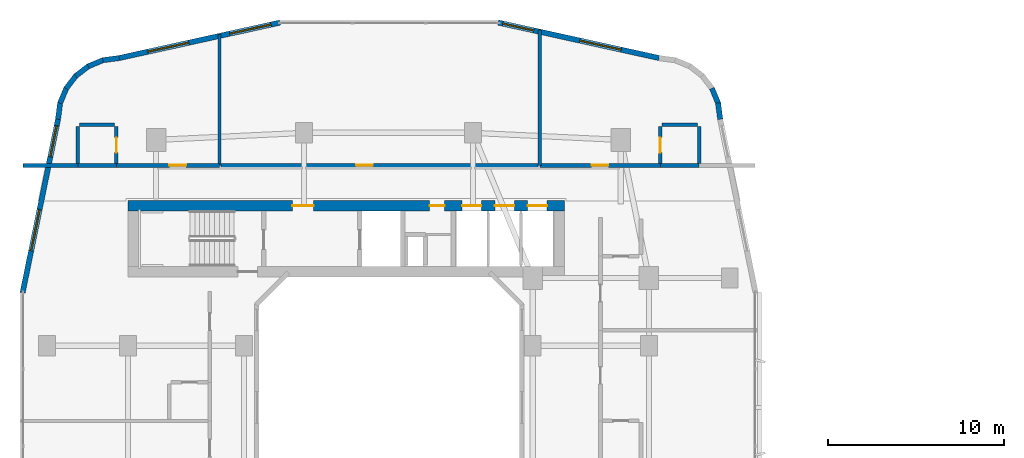
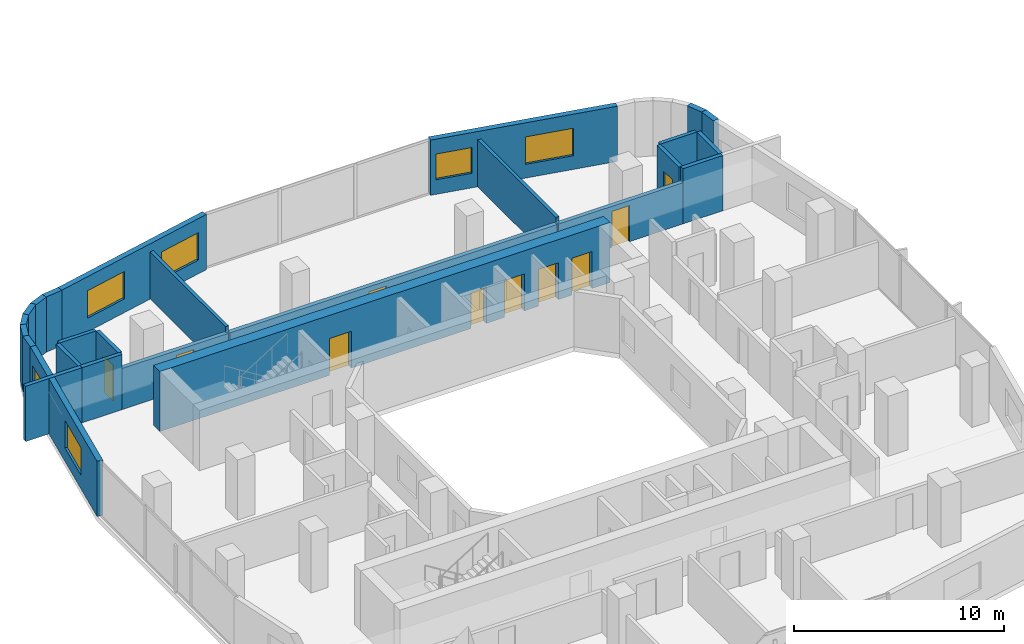
# One storey, part 16 of 26: 26 walls, 10 doors, 6 windows, 16 openings.
"""IFC4 building model written with IfcOpenShell, lengths in metres."""

from ifc_helpers import new_model, si_unit, derived_unit, direction, frame, frame_2d, origin, place, context, subcontext, project, spatial, rectangle, extrude, material, layer, layer_set, type_object, element, fill, save


model = new_model("IFC4")

# Units and contexts
model_context = context("Model", 3, precision=1e-05, world=origin(), true_north=direction((0.0, 1.0)))
body_context = subcontext(model_context, "Body", "Model", "MODEL_VIEW")
ifc_project = project(units=[si_unit("LENGTHUNIT", "METRE"), si_unit("AREAUNIT", "SQUARE_METRE"), si_unit("VOLUMEUNIT", "CUBIC_METRE"), si_unit("PLANEANGLEUNIT", "RADIAN"), si_unit("MASSUNIT", "GRAM", prefix="KILO"), derived_unit("THERMALTRANSMITTANCEUNIT", [(si_unit("POWERUNIT", "WATT"), 1), (si_unit("LENGTHUNIT", "METRE"), -2), (si_unit("THERMODYNAMICTEMPERATUREUNIT", "KELVIN"), -1)])], contexts=[model_context])

# Site, building, storey
site_placement = place(None, origin())
site = spatial("IfcSite", under=ifc_project, at=site_placement, CompositionType="ELEMENT")
building_placement = place(site_placement, origin())
building = spatial("IfcBuilding", under=site, at=building_placement, Name="Kivonza Crest Hotel", CompositionType="ELEMENT")
storey_placement = place(building_placement, frame((0.0, 0.0, 52.0)))
storey = spatial("IfcBuildingStorey", under=building, at=storey_placement, Name="L13", CompositionType="ELEMENT", Elevation=52.0)

# Walls
ifc_material_1 = material(Name="High-density acoustic masonry inter-tenancy wall", Category="masonry")
ifc_layer_1 = layer(ifc_material_1, 0.179931640625)
ifc_layer_set_1 = layer_set([ifc_layer_1], Name="High-density acoustic masonry inter-tenancy wall")
wall_type_1 = type_object("IfcWallType", Name="WL-ACOU-180", PredefinedType="SOLIDWALL", material=ifc_layer_set_1)
wall_1_placement = place(storey_placement, frame((11.39990234375, 38.75, 0.0), z_axis=(0.0, 0.0, 1.0), x_axis=(0.0, 1.0, 0.0)))
element("IfcWall", 1, at=wall_1_placement, inside=storey, type_object=wall_type_1, Name="L13 interior partition WA-L13-T1N-DIV1", PredefinedType="SOLIDWALL", context=body_context, shape_type="SweptSolid", body=[
    extrude(rectangle(XDim=7.449951171875, YDim=0.179931640625, at=frame_2d((3.72509765625, 0.0))), origin(), (0.0, 0.0, 1.0), 2.7451171875),
])
wall_2_placement = place(storey_placement, frame((29.60009765625, 38.75, 0.0), z_axis=(0.0, 0.0, 1.0), x_axis=(0.0, 1.0, 0.0)))
element("IfcWall", 2, at=wall_2_placement, inside=storey, type_object=wall_type_1, Name="L13 interior partition WA-L13-T1N-DIV2", PredefinedType="SOLIDWALL", context=body_context, shape_type="SweptSolid", body=[
    extrude(rectangle(XDim=7.68798828125, YDim=0.179931640625, at=frame_2d((3.843994140625, 0.0))), origin(), (0.0, 0.0, 1.0), 2.7451171875),
])
ifc_material_2 = material(Name="Autoclaved aerated concrete blockwork", Category="masonry")
ifc_layer_2 = layer(ifc_material_2, 0.219970703125)
ifc_layer_set_2 = layer_set([ifc_layer_2], Name="Autoclaved aerated concrete blockwork")
wall_type_2 = type_object("IfcWallType", Name="WL-ACOU-220", PredefinedType="SOLIDWALL", material=ifc_layer_set_2)
wall_3_placement = place(storey_placement, frame((0.239990234375, 38.75, 0.0), z_axis=(0.0, 0.0, 1.0), x_axis=(1.0, 0.0, 0.0)))
element("IfcWall", 3, at=wall_3_placement, inside=storey, type_object=wall_type_2, Name="L13 interior partition WA-L13-N01-XCORR", PredefinedType="SOLIDWALL", context=body_context, shape_type="SweptSolid", body=[
    extrude(rectangle(XDim=3.110107421875, YDim=0.219970703125, at=frame_2d((1.55517578125, 0.0))), origin(), (0.0, 0.0, 1.0), 3.219970703125),
])
wall_4_placement = place(storey_placement, frame((3.35009765625, 38.75, 0.0), z_axis=(0.0, 0.0, 1.0), x_axis=(1.0, 0.0, 0.0)))
element("IfcWall", 4, at=wall_4_placement, inside=storey, type_object=wall_type_2, Name="L13 interior partition WA-L13-N01-BCORR", PredefinedType="SOLIDWALL", context=body_context, shape_type="SweptSolid", body=[
    extrude(rectangle(XDim=2.199951171875, YDim=0.219970703125, at=frame_2d((1.10009765625, 0.0))), origin(), (0.0, 0.0, 1.0), 3.219970703125),
])

# Wall, opening, door
wall_5_placement = place(storey_placement, frame((5.550048828125, 38.75, 0.0), z_axis=(0.0, 0.0, 1.0), x_axis=(1.0, 0.0, 0.0)))
wall_5 = element("IfcWall", 5, at=wall_5_placement, inside=storey, type_object=wall_type_2, Name="L13 interior partition WA-L13-N01-MCORR", PredefinedType="SOLIDWALL", context=body_context, shape_type="SweptSolid", body=[
    extrude(rectangle(XDim=5.849853515625, YDim=0.219970703125, at=frame_2d((2.9248046875, 0.0))), origin(), (0.0, 0.0, 1.0), 2.39501953125),
])
opening_1_placement = place(wall_5_placement, frame((3.010009765625, 0.0, 0.0)))
opening_1 = element("IfcOpeningElement", 6, at=opening_1_placement, cuts=wall_5, Name="Opening DU-60", PredefinedType="OPENING", context=body_context, shape_type="SweptSolid", body=[
    extrude(rectangle(XDim=0.949951171875, YDim=2.10009765625, at=frame_2d((0.47509765625, 1.050048828125))), frame((0.0, 0.1201171875, 0.0), z_axis=(0.0, -1.0, 0.0), x_axis=(1.0, 0.0, 0.0)), (0.0, 0.0, 1.0), 0.239990234375),
])
ifc_material_3 = material(Name="Hardwood timber oak", Category="wood")
door_type_1 = type_object("IfcDoorType", Name="DR-UNIT-950", OperationType="NOTDEFINED", PredefinedType="DOOR", material=ifc_material_3)
door_1_placement = place(opening_1_placement, origin())
door_1 = element("IfcDoor", 7, at=door_1_placement, inside=storey, type_object=door_type_1, Name="L13 N01 guest unit entrance fire door", OperationType="SINGLE_SWING_LEFT", OverallHeight=2.10009765625, OverallWidth=0.949951171875, PredefinedType="DOOR", context=body_context, shape_type="SweptSolid", body=[
    extrude(rectangle(XDim=0.949951171875, YDim=2.10009765625, at=frame_2d((0.47509765625, 1.050048828125))), frame((0.0, 0.02490234375, 0.0), z_axis=(0.0, -1.0, 0.0), x_axis=(1.0, 0.0, 0.0)), (0.0, 0.0, 1.0), 0.050048828125),
])
fill(opening_1, door_1)

wall_6_placement = place(storey_placement, frame((11.5, 38.75, 0.0), z_axis=(0.0, 0.0, 1.0), x_axis=(1.0, 0.0, 0.0)))
wall_6 = element("IfcWall", 8, at=wall_6_placement, inside=storey, type_object=wall_type_2, Name="L13 interior partition WA-L13-HK-MAIN-S", PredefinedType="SOLIDWALL", context=body_context, shape_type="SweptSolid", body=[
    extrude(rectangle(XDim=18.0, YDim=0.219970703125, at=frame_2d((9.0, 0.0))), origin(), (0.0, 0.0, 1.0), 2.39501953125),
])
opening_2_placement = place(wall_6_placement, frame((7.6630859375, 0.0, 0.0)))
opening_2 = element("IfcOpeningElement", 9, at=opening_2_placement, cuts=wall_6, Name="Opening DF-60S", PredefinedType="OPENING", context=body_context, shape_type="SweptSolid", body=[
    extrude(rectangle(XDim=0.949951171875, YDim=2.10009765625, at=frame_2d((0.47509765625, 1.050048828125))), frame((0.0, 0.1201171875, 0.0), z_axis=(0.0, -1.0, 0.0), x_axis=(1.0, 0.0, 0.0)), (0.0, 0.0, 1.0), 0.239990234375),
])
door_type_2 = type_object("IfcDoorType", Name="DR-FD60-950", OperationType="NOTDEFINED", PredefinedType="DOOR", material=ifc_material_3)
door_2_placement = place(opening_2_placement, origin())
door_2 = element("IfcDoor", 10, at=door_2_placement, inside=storey, type_object=door_type_2, Name="L13 Housekeeping and Linen Room door", OperationType="SINGLE_SWING_RIGHT", OverallHeight=2.10009765625, OverallWidth=0.949951171875, PredefinedType="DOOR", context=body_context, shape_type="SweptSolid", body=[
    extrude(rectangle(XDim=0.949951171875, YDim=2.10009765625, at=frame_2d((0.47509765625, 1.050048828125))), frame((0.0, 0.02490234375, 0.0), z_axis=(0.0, -1.0, 0.0), x_axis=(1.0, 0.0, 0.0)), (0.0, 0.0, 1.0), 0.050048828125),
])
fill(opening_2, door_2)

# Wall
wall_7_placement = place(storey_placement, frame((36.449951171875, 38.75, 0.0), z_axis=(0.0, 0.0, 1.0), x_axis=(1.0, 0.0, 0.0)))
element("IfcWall", 11, at=wall_7_placement, inside=storey, type_object=wall_type_2, Name="L13 interior partition WA-L13-N02-BCORR", PredefinedType="SOLIDWALL", context=body_context, shape_type="SweptSolid", body=[
    extrude(rectangle(XDim=2.199951171875, YDim=0.219970703125, at=frame_2d((1.10009765625, 0.0))), origin(), (0.0, 0.0, 1.0), 3.219970703125),
])

# Wall, opening, door
wall_8_placement = place(storey_placement, frame((29.60009765625, 38.75, 0.0), z_axis=(0.0, 0.0, 1.0), x_axis=(1.0, 0.0, 0.0)))
wall_8 = element("IfcWall", 12, at=wall_8_placement, inside=storey, type_object=wall_type_2, Name="L13 interior partition WA-L13-N02-MCORR", PredefinedType="SOLIDWALL", context=body_context, shape_type="SweptSolid", body=[
    extrude(rectangle(XDim=6.849853515625, YDim=0.219970703125, at=frame_2d((3.4248046875, 0.0))), origin(), (0.0, 0.0, 1.0), 2.39501953125),
])
opening_3_placement = place(wall_8_placement, frame((2.949951171875, 0.0, 0.0)))
opening_3 = element("IfcOpeningElement", 13, at=opening_3_placement, cuts=wall_8, Name="Opening DU-60", PredefinedType="OPENING", context=body_context, shape_type="SweptSolid", body=[
    extrude(rectangle(XDim=0.949951171875, YDim=2.10009765625, at=frame_2d((0.47509765625, 1.050048828125))), frame((0.0, 0.1201171875, 0.0), z_axis=(0.0, -1.0, 0.0), x_axis=(1.0, 0.0, 0.0)), (0.0, 0.0, 1.0), 0.239990234375),
])
door_3_placement = place(opening_3_placement, origin())
door_3 = element("IfcDoor", 14, at=door_3_placement, inside=storey, type_object=door_type_1, Name="L13 N02 guest unit entrance fire door", OperationType="SINGLE_SWING_RIGHT", OverallHeight=2.10009765625, OverallWidth=0.949951171875, PredefinedType="DOOR", context=body_context, shape_type="SweptSolid", body=[
    extrude(rectangle(XDim=0.949951171875, YDim=2.10009765625, at=frame_2d((0.47509765625, 1.050048828125))), frame((0.0, 0.02490234375, 0.0), z_axis=(0.0, -1.0, 0.0), x_axis=(1.0, 0.0, 0.0)), (0.0, 0.0, 1.0), 0.050048828125),
])
fill(opening_3, door_3)

# Wall, openings, doors
ifc_material_4 = material(Name="Concrete C60/75", Category="concrete")
ifc_layer_3 = layer(ifc_material_4, 0.60009765625)
ifc_layer_set_3 = layer_set([ifc_layer_3], Name="Concrete C60/75")
wall_type_3 = type_object("IfcWallType", Name="WL-CORE-600", PredefinedType="SHEAR", material=ifc_layer_set_3)
wall_9_placement = place(storey_placement, frame((6.199951171875, 36.4599609375, 0.0), z_axis=(0.0, 0.0, 1.0), x_axis=(1.0, 0.0, 0.0)))
wall_9 = element("IfcWall", 15, at=wall_9_placement, inside=storey, type_object=wall_type_3, Name="Core wall T1-N North L13", PredefinedType="SHEAR", context=body_context, shape_type="SweptSolid", body=[
    extrude(rectangle(XDim=24.800048828125, YDim=0.60009765625, at=frame_2d((12.39990234375, 0.0))), origin(), (0.0, 0.0, 1.0), 3.5),
])
opening_4_placement = place(wall_9_placement, frame((9.35009765625, 0.0, 0.0)))
opening_4 = element("IfcOpeningElement", 16, at=opening_4_placement, cuts=wall_9, Name="Opening DF-60", PredefinedType="OPENING", context=body_context, shape_type="SweptSolid", body=[
    extrude(rectangle(XDim=1.199951171875, YDim=2.14990234375, at=frame_2d((0.60009765625, 1.074951171875))), frame((0.0, 0.31005859375, 0.0), z_axis=(0.0, -1.0, 0.0), x_axis=(1.0, 0.0, 0.0)), (0.0, 0.0, 1.0), 0.6201171875),
])
opening_5_placement = place(wall_9_placement, frame((17.139892578125, 0.0, 0.0)))
opening_5 = element("IfcOpeningElement", 17, at=opening_5_placement, cuts=wall_9, Name="Opening DF-60R", PredefinedType="OPENING", context=body_context, shape_type="SweptSolid", body=[
    extrude(rectangle(XDim=0.85009765625, YDim=2.10009765625, at=frame_2d((0.425048828125, 1.050048828125))), frame((0.0, 0.31005859375, 0.0), z_axis=(0.0, -1.0, 0.0), x_axis=(1.0, 0.0, 0.0)), (0.0, 0.0, 1.0), 0.6201171875),
])
opening_6_placement = place(wall_9_placement, frame((18.98291015625, 0.0, 0.0)))
opening_6 = element("IfcOpeningElement", 18, at=opening_6_placement, cuts=wall_9, Name="Opening LD-120", PredefinedType="OPENING", context=body_context, shape_type="SweptSolid", body=[
    extrude(rectangle(XDim=1.10009765625, YDim=2.14990234375, at=frame_2d((0.550048828125, 1.074951171875))), frame((0.0, 0.31005859375, 0.0), z_axis=(0.0, -1.0, 0.0), x_axis=(1.0, 0.0, 0.0)), (0.0, 0.0, 1.0), 0.6201171875),
])
opening_7_placement = place(wall_9_placement, frame((20.85009765625, 0.0, 0.0)))
opening_7 = element("IfcOpeningElement", 19, at=opening_7_placement, cuts=wall_9, Name="Opening LD-120", PredefinedType="OPENING", context=body_context, shape_type="SweptSolid", body=[
    extrude(rectangle(XDim=1.10009765625, YDim=2.14990234375, at=frame_2d((0.550048828125, 1.074951171875))), frame((0.0, 0.31005859375, 0.0), z_axis=(0.0, -1.0, 0.0), x_axis=(1.0, 0.0, 0.0)), (0.0, 0.0, 1.0), 0.6201171875),
])
opening_8_placement = place(wall_9_placement, frame((22.716064453125, 0.0, 0.0)))
opening_8 = element("IfcOpeningElement", 20, at=opening_8_placement, cuts=wall_9, Name="Opening LD-120", PredefinedType="OPENING", context=body_context, shape_type="SweptSolid", body=[
    extrude(rectangle(XDim=1.10009765625, YDim=2.14990234375, at=frame_2d((0.550048828125, 1.074951171875))), frame((0.0, 0.31005859375, 0.0), z_axis=(0.0, -1.0, 0.0), x_axis=(1.0, 0.0, 0.0)), (0.0, 0.0, 1.0), 0.6201171875),
])
door_type_3 = type_object("IfcDoorType", Name="DR-FD60-1200", OperationType="NOTDEFINED", PredefinedType="DOOR", material=ifc_material_3)
door_4_placement = place(opening_4_placement, origin())
door_4 = element("IfcDoor", 21, at=door_4_placement, inside=storey, type_object=door_type_3, Name="L13 T1-N firefighting lobby fire door", OperationType="SINGLE_SWING_RIGHT", OverallHeight=2.14990234375, OverallWidth=1.199951171875, PredefinedType="DOOR", context=body_context, shape_type="SweptSolid", body=[
    extrude(rectangle(XDim=1.199951171875, YDim=2.14990234375, at=frame_2d((0.60009765625, 1.074951171875))), frame((0.0, 0.02490234375, 0.0), z_axis=(0.0, -1.0, 0.0), x_axis=(1.0, 0.0, 0.0)), (0.0, 0.0, 1.0), 0.050048828125),
])
fill(opening_4, door_4)
door_type_4 = type_object("IfcDoorType", Name="DR-FD60-850", OperationType="NOTDEFINED", PredefinedType="DOOR", material=ifc_material_3)
door_5_placement = place(opening_5_placement, origin())
door_5 = element("IfcDoor", 22, at=door_5_placement, inside=storey, type_object=door_type_4, Name="L13 T1-N core room door", OperationType="SINGLE_SWING_RIGHT", OverallHeight=2.10009765625, OverallWidth=0.85009765625, PredefinedType="DOOR", context=body_context, shape_type="SweptSolid", body=[
    extrude(rectangle(XDim=0.85009765625, YDim=2.10009765625, at=frame_2d((0.425048828125, 1.050048828125))), frame((0.0, 0.02490234375, 0.0), z_axis=(0.0, -1.0, 0.0), x_axis=(1.0, 0.0, 0.0)), (0.0, 0.0, 1.0), 0.050048828125),
])
fill(opening_5, door_5)
ifc_material_5 = material(Name="Stainless steel", Category="steel")
door_type_5 = type_object("IfcDoorType", Name="DR-LD120-1100", OperationType="NOTDEFINED", PredefinedType="DOOR", material=ifc_material_5)
door_6_placement = place(opening_6_placement, origin())
door_6 = element("IfcDoor", 23, at=door_6_placement, inside=storey, type_object=door_type_5, Name="L13 PL-T1-L1 passenger lift sliding landing door", OperationType="DOUBLE_DOOR_SLIDING", OverallHeight=2.14990234375, OverallWidth=1.10009765625, PredefinedType="DOOR", context=body_context, shape_type="SweptSolid", body=[
    extrude(rectangle(XDim=1.10009765625, YDim=2.14990234375, at=frame_2d((0.550048828125, 1.074951171875))), frame((0.0, 0.02490234375, 0.0), z_axis=(0.0, -1.0, 0.0), x_axis=(1.0, 0.0, 0.0)), (0.0, 0.0, 1.0), 0.050048828125),
])
fill(opening_6, door_6)
door_7_placement = place(opening_7_placement, origin())
door_7 = element("IfcDoor", 24, at=door_7_placement, inside=storey, type_object=door_type_5, Name="L13 PL-T1-L2 passenger lift sliding landing door", OperationType="DOUBLE_DOOR_SLIDING", OverallHeight=2.14990234375, OverallWidth=1.10009765625, PredefinedType="DOOR", context=body_context, shape_type="SweptSolid", body=[
    extrude(rectangle(XDim=1.10009765625, YDim=2.14990234375, at=frame_2d((0.550048828125, 1.074951171875))), frame((0.0, 0.02490234375, 0.0), z_axis=(0.0, -1.0, 0.0), x_axis=(1.0, 0.0, 0.0)), (0.0, 0.0, 1.0), 0.050048828125),
])
fill(opening_7, door_7)
door_8_placement = place(opening_8_placement, origin())
door_8 = element("IfcDoor", 25, at=door_8_placement, inside=storey, type_object=door_type_5, Name="L13 PL-T1-L3 passenger lift sliding landing door", OperationType="DOUBLE_DOOR_SLIDING", OverallHeight=2.14990234375, OverallWidth=1.10009765625, PredefinedType="DOOR", context=body_context, shape_type="SweptSolid", body=[
    extrude(rectangle(XDim=1.10009765625, YDim=2.14990234375, at=frame_2d((0.550048828125, 1.074951171875))), frame((0.0, 0.02490234375, 0.0), z_axis=(0.0, -1.0, 0.0), x_axis=(1.0, 0.0, 0.0)), (0.0, 0.0, 1.0), 0.050048828125),
])
fill(opening_8, door_8)

# Walls
ifc_material_6 = material(Name="Precast concrete C40/50", Category="concrete")
ifc_layer_4 = layer(ifc_material_6, 0.300048828125)
ifc_layer_set_4 = layer_set([ifc_layer_4], Name="Precast concrete C40/50")
wall_type_4 = type_object("IfcWallType", Name="WL-EXT-300", PredefinedType="STANDARD", material=ifc_layer_set_4)
wall_10_placement = place(storey_placement, frame((39.85205078125, 41.3720703125, 0.0), z_axis=(0.0, 0.0, 1.0), x_axis=(-0.131174864804, 0.991359246108, 0.0)))
element("IfcWall", 26, at=wall_10_placement, inside=storey, type_object=wall_type_4, Name="L13 T1 exterior insulated wall 19", PredefinedType="STANDARD", context=body_context, shape_type="SweptSolid", body=[
    extrude(rectangle(XDim=0.93798828125, YDim=0.300048828125, at=frame_2d((0.468994140625, 0.0))), origin(), (0.0, 0.0, 1.0), 3.219970703125),
])
wall_11_placement = place(storey_placement, frame((39.748046875, 42.251953125, 0.0), z_axis=(0.0, 0.0, 1.0), x_axis=(-0.382344263057, 0.924019948111, 0.0)))
element("IfcWall", 27, at=wall_11_placement, inside=storey, type_object=wall_type_4, Name="L13 T1 exterior insulated wall 20", PredefinedType="STANDARD", context=body_context, shape_type="SweptSolid", body=[
    extrude(rectangle(XDim=0.95458984375, YDim=0.300048828125, at=frame_2d((0.477294921875, 0.0))), origin(), (0.0, 0.0, 1.0), 3.219970703125),
])

# Wall, openings, windows
wall_12_placement = place(storey_placement, frame((36.3759765625, 44.85205078125, 0.0), z_axis=(0.0, 0.0, 1.0), x_axis=(-0.97654500432, 0.215313386808, 0.0)))
wall_12 = element("IfcWall", 28, at=wall_12_placement, inside=storey, type_object=wall_type_4, Name="L13 T1 exterior insulated wall 25", PredefinedType="STANDARD", context=body_context, shape_type="SweptSolid", body=[
    extrude(rectangle(XDim=9.353515625, YDim=0.300048828125, at=frame_2d((4.6767578125, 0.0))), origin(), (0.0, 0.0, 1.0), 3.219970703125),
])
opening_9_placement = place(wall_12_placement, frame((2.2041015625, 0.0, 0.800048828125)))
opening_9 = element("IfcOpeningElement", 29, at=opening_9_placement, cuts=wall_12, Name="Opening WN-05", PredefinedType="OPENING", context=body_context, shape_type="SweptSolid", body=[
    extrude(rectangle(XDim=2.39990234375, YDim=1.60009765625, at=frame_2d((1.199951171875, 0.800048828125))), frame((0.0, 0.16015625, 0.0), z_axis=(0.0, -1.0, 0.0), x_axis=(1.0, 0.0, 0.0)), (0.0, 0.0, 1.0), 0.320068359375),
])
opening_10_placement = place(wall_12_placement, frame((7.285888671875, 0.0, 0.85009765625)))
opening_10 = element("IfcOpeningElement", 30, at=opening_10_placement, cuts=wall_12, Name="Opening WN-03", PredefinedType="OPENING", context=body_context, shape_type="SweptSolid", body=[
    extrude(rectangle(XDim=1.800048828125, YDim=1.5, at=frame_2d((0.89990234375, 0.75))), frame((0.0, 0.16015625, 0.0), z_axis=(0.0, -1.0, 0.0), x_axis=(1.0, 0.0, 0.0)), (0.0, 0.0, 1.0), 0.320068359375),
])
ifc_material_7 = material(Name="Thermally broken bronze aluminium and low-E double glazing", Category="aluminium")
window_type_1 = type_object("IfcWindowType", Name="WN-180x150", PartitioningType="DOUBLE_PANEL_VERTICAL", PredefinedType="WINDOW", material=ifc_material_7)
window_1_placement = place(opening_10_placement, origin())
window_1 = element("IfcWindow", 31, at=window_1_placement, inside=storey, type_object=window_type_1, Name="L13 T1 facade window 25 bay 2", OverallHeight=1.5, OverallWidth=1.800048828125, PartitioningType="SINGLE_PANEL", PredefinedType="WINDOW", context=body_context, shape_type="SweptSolid", body=[
    extrude(rectangle(XDim=1.800048828125, YDim=1.5, at=frame_2d((0.89990234375, 0.75))), frame((0.0, 0.030029296875, 0.0), z_axis=(0.0, -1.0, 0.0), x_axis=(1.0, 0.0, 0.0)), (0.0, 0.0, 1.0), 0.06005859375),
])
fill(opening_10, window_1)
window_type_2 = type_object("IfcWindowType", Name="WN-240x160", PartitioningType="TRIPLE_PANEL_VERTICAL", PredefinedType="WINDOW", material=ifc_material_7)
window_2_placement = place(opening_9_placement, origin())
window_2 = element("IfcWindow", 32, at=window_2_placement, inside=storey, type_object=window_type_2, Name="L13 T1 facade window 25 bay 1", OverallHeight=1.60009765625, OverallWidth=2.39990234375, PartitioningType="SINGLE_PANEL", PredefinedType="WINDOW", context=body_context, shape_type="SweptSolid", body=[
    extrude(rectangle(XDim=2.39990234375, YDim=1.60009765625, at=frame_2d((1.199951171875, 0.800048828125))), frame((0.0, 0.030029296875, 0.0), z_axis=(0.0, -1.0, 0.0), x_axis=(1.0, 0.0, 0.0)), (0.0, 0.0, 1.0), 0.06005859375),
])
fill(opening_9, window_2)

wall_13_placement = place(storey_placement, frame((14.837890625, 46.865966796875, 0.0), z_axis=(0.0, 0.0, 1.0), x_axis=(-0.9765437942, -0.215318875183, 0.0)))
wall_13 = element("IfcWall", 33, at=wall_13_placement, inside=storey, type_object=wall_type_4, Name="L13 T1 exterior insulated wall 27", PredefinedType="STANDARD", context=body_context, shape_type="SweptSolid", body=[
    extrude(rectangle(XDim=9.353271484375, YDim=0.300048828125, at=frame_2d((4.6767578125, 0.0))), origin(), (0.0, 0.0, 1.0), 3.219970703125),
])
opening_11_placement = place(wall_13_placement, frame((0.52001953125, 0.0, 0.800048828125)))
opening_11 = element("IfcOpeningElement", 34, at=opening_11_placement, cuts=wall_13, Name="Opening WN-05", PredefinedType="OPENING", context=body_context, shape_type="SweptSolid", body=[
    extrude(rectangle(XDim=2.39990234375, YDim=1.60009765625, at=frame_2d((1.199951171875, 0.800048828125))), frame((0.0, 0.16015625, 0.0), z_axis=(0.0, -1.0, 0.0), x_axis=(1.0, 0.0, 0.0)), (0.0, 0.0, 1.0), 0.320068359375),
])
opening_12_placement = place(wall_13_placement, frame((5.302001953125, 0.0, 0.800048828125)))
opening_12 = element("IfcOpeningElement", 35, at=opening_12_placement, cuts=wall_13, Name="Opening WN-05", PredefinedType="OPENING", context=body_context, shape_type="SweptSolid", body=[
    extrude(rectangle(XDim=2.39990234375, YDim=1.60009765625, at=frame_2d((1.199951171875, 0.800048828125))), frame((0.0, 0.16015625, 0.0), z_axis=(0.0, -1.0, 0.0), x_axis=(1.0, 0.0, 0.0)), (0.0, 0.0, 1.0), 0.320068359375),
])
window_3_placement = place(opening_11_placement, origin())
window_3 = element("IfcWindow", 36, at=window_3_placement, inside=storey, type_object=window_type_2, Name="L13 T1 facade window 27 bay 1", OverallHeight=1.60009765625, OverallWidth=2.39990234375, PartitioningType="SINGLE_PANEL", PredefinedType="WINDOW", context=body_context, shape_type="SweptSolid", body=[
    extrude(rectangle(XDim=2.39990234375, YDim=1.60009765625, at=frame_2d((1.199951171875, 0.800048828125))), frame((0.0, 0.030029296875, 0.0), z_axis=(0.0, -1.0, 0.0), x_axis=(1.0, 0.0, 0.0)), (0.0, 0.0, 1.0), 0.06005859375),
])
fill(opening_11, window_3)
window_4_placement = place(opening_12_placement, origin())
window_4 = element("IfcWindow", 37, at=window_4_placement, inside=storey, type_object=window_type_2, Name="L13 T1 facade window 27 bay 2", OverallHeight=1.60009765625, OverallWidth=2.39990234375, PartitioningType="SINGLE_PANEL", PredefinedType="WINDOW", context=body_context, shape_type="SweptSolid", body=[
    extrude(rectangle(XDim=2.39990234375, YDim=1.60009765625, at=frame_2d((1.199951171875, 0.800048828125))), frame((0.0, 0.030029296875, 0.0), z_axis=(0.0, -1.0, 0.0), x_axis=(1.0, 0.0, 0.0)), (0.0, 0.0, 1.0), 0.06005859375),
])
fill(opening_12, window_4)

# Walls
wall_14_placement = place(storey_placement, frame((5.7080078125, 44.85205078125, 0.0), z_axis=(0.0, 0.0, 1.0), x_axis=(-0.991359246108, -0.131174864804, 0.0)))
element("IfcWall", 38, at=wall_14_placement, inside=storey, type_object=wall_type_4, Name="L13 T1 exterior insulated wall 28", PredefinedType="STANDARD", context=body_context, shape_type="SweptSolid", body=[
    extrude(rectangle(XDim=0.93798828125, YDim=0.300048828125, at=frame_2d((0.468994140625, 0.0))), origin(), (0.0, 0.0, 1.0), 3.219970703125),
])
wall_15_placement = place(storey_placement, frame((4.827880859375, 44.748046875, 0.0), z_axis=(0.0, 0.0, 1.0), x_axis=(-0.923982547689, -0.382434636986, 0.0)))
element("IfcWall", 39, at=wall_15_placement, inside=storey, type_object=wall_type_4, Name="L13 T1 exterior insulated wall 29", PredefinedType="STANDARD", context=body_context, shape_type="SweptSolid", body=[
    extrude(rectangle(XDim=0.954345703125, YDim=0.300048828125, at=frame_2d((0.47705078125, 0.0))), origin(), (0.0, 0.0, 1.0), 3.219970703125),
])
for number, where, z_axis, x_axis, name in (
    (40, (3.990966796875, 44.4140625, 0.0), (0.0, 0.0, 1.0), (-0.793668068435, -0.608351047625, 0.0), "L13 T1 exterior insulated wall 30"),
    (41, (3.26806640625, 43.875, 0.0), (0.0, 0.0, 1.0), (-0.608351047625, -0.793668068435, 0.0), "L13 T1 exterior insulated wall 31"),
):
    element("IfcWall", number, at=place(storey_placement, frame(where, z_axis=z_axis, x_axis=x_axis)), inside=storey, type_object=wall_type_4, Name=name, PredefinedType="STANDARD", context=body_context, shape_type="SweptSolid", body=[
        extrude(rectangle(XDim=0.955078125, YDim=0.300048828125, at=frame_2d((0.4775390625, 0.0))), origin(), (0.0, 0.0, 1.0), 3.219970703125),
    ])
wall_16_placement = place(storey_placement, frame((2.7109375, 43.166015625, 0.0), z_axis=(0.0, 0.0, 1.0), x_axis=(-0.382344263057, -0.924019948111, 0.0)))
element("IfcWall", 42, at=wall_16_placement, inside=storey, type_object=wall_type_4, Name="L13 T1 exterior insulated wall 32", PredefinedType="STANDARD", context=body_context, shape_type="SweptSolid", body=[
    extrude(rectangle(XDim=0.95458984375, YDim=0.300048828125, at=frame_2d((0.477294921875, 0.0))), origin(), (0.0, 0.0, 1.0), 3.219970703125),
])
wall_17_placement = place(storey_placement, frame((2.35498046875, 42.3369140625, 0.0), z_axis=(0.0, 0.0, 1.0), x_axis=(-0.130454512571, -0.991454295543, 0.0)))
element("IfcWall", 43, at=wall_17_placement, inside=storey, type_object=wall_type_4, Name="L13 T1 exterior insulated wall 33", PredefinedType="STANDARD", context=body_context, shape_type="SweptSolid", body=[
    extrude(rectangle(XDim=0.97314453125, YDim=0.300048828125, at=frame_2d((0.486572265625, 0.0))), origin(), (0.0, 0.0, 1.0), 3.219970703125),
])

# Wall, openings, windows
wall_18_placement = place(storey_placement, frame((2.22900390625, 41.3779296875, 0.0), z_axis=(0.0, 0.0, 1.0), x_axis=(-0.199990901713, -0.979797754249, 0.0)))
wall_18 = element("IfcWall", 44, at=wall_18_placement, inside=storey, type_object=wall_type_4, Name="L13 T1 exterior insulated wall 34", PredefinedType="STANDARD", context=body_context, shape_type="SweptSolid", body=[
    extrude(rectangle(XDim=10.065185546875, YDim=0.300048828125, at=frame_2d((5.03271484375, 0.0))), origin(), (0.0, 0.0, 1.0), 3.219970703125),
])
opening_13_placement = place(wall_18_placement, frame((0.3779296875, 0.0, 0.85009765625)))
opening_13 = element("IfcOpeningElement", 45, at=opening_13_placement, cuts=wall_18, Name="Opening WN-03", PredefinedType="OPENING", context=body_context, shape_type="SweptSolid", body=[
    extrude(rectangle(XDim=1.800048828125, YDim=1.5, at=frame_2d((0.89990234375, 0.75))), frame((0.0, 0.16015625, 0.0), z_axis=(0.0, -1.0, 0.0), x_axis=(1.0, 0.0, 0.0)), (0.0, 0.0, 1.0), 0.320068359375),
])
opening_14_placement = place(wall_18_placement, frame((5.236083984375, 0.0, 0.800048828125)))
opening_14 = element("IfcOpeningElement", 46, at=opening_14_placement, cuts=wall_18, Name="Opening WN-05", PredefinedType="OPENING", context=body_context, shape_type="SweptSolid", body=[
    extrude(rectangle(XDim=2.39990234375, YDim=1.60009765625, at=frame_2d((1.199951171875, 0.800048828125))), frame((0.0, 0.16015625, 0.0), z_axis=(0.0, -1.0, 0.0), x_axis=(1.0, 0.0, 0.0)), (0.0, 0.0, 1.0), 0.320068359375),
])
window_5_placement = place(opening_13_placement, origin())
window_5 = element("IfcWindow", 47, at=window_5_placement, inside=storey, type_object=window_type_1, Name="L13 T1 facade window 34 bay 1", OverallHeight=1.5, OverallWidth=1.800048828125, PartitioningType="SINGLE_PANEL", PredefinedType="WINDOW", context=body_context, shape_type="SweptSolid", body=[
    extrude(rectangle(XDim=1.800048828125, YDim=1.5, at=frame_2d((0.89990234375, 0.75))), frame((0.0, 0.030029296875, 0.0), z_axis=(0.0, -1.0, 0.0), x_axis=(1.0, 0.0, 0.0)), (0.0, 0.0, 1.0), 0.06005859375),
])
fill(opening_13, window_5)
window_6_placement = place(opening_14_placement, origin())
window_6 = element("IfcWindow", 48, at=window_6_placement, inside=storey, type_object=window_type_2, Name="L13 T1 facade window 34 bay 2", OverallHeight=1.60009765625, OverallWidth=2.39990234375, PartitioningType="SINGLE_PANEL", PredefinedType="WINDOW", context=body_context, shape_type="SweptSolid", body=[
    extrude(rectangle(XDim=2.39990234375, YDim=1.60009765625, at=frame_2d((1.199951171875, 0.800048828125))), frame((0.0, 0.030029296875, 0.0), z_axis=(0.0, -1.0, 0.0), x_axis=(1.0, 0.0, 0.0)), (0.0, 0.0, 1.0), 0.06005859375),
])
fill(opening_14, window_6)

# Wall, opening, door
ifc_material_8 = material(Name="Moisture-resistant plumbing chase partition wall", Category="gypsum")
ifc_layer_5 = layer(ifc_material_8, 0.199951171875)
ifc_layer_set_5 = layer_set([ifc_layer_5], Name="Moisture-resistant plumbing chase partition wall")
wall_type_5 = type_object("IfcWallType", Name="WL-PLUMB-200", PredefinedType="PLUMBINGWALL", material=ifc_layer_set_5)
wall_19_placement = place(storey_placement, frame((5.550048828125, 38.85009765625, 0.0), z_axis=(0.0, 0.0, 1.0), x_axis=(0.0, 1.0, 0.0)))
wall_19 = element("IfcWall", 49, at=wall_19_placement, inside=storey, type_object=wall_type_5, Name="L13 interior partition WW-L13-N01-BV", PredefinedType="PLUMBINGWALL", context=body_context, shape_type="SweptSolid", body=[
    extrude(rectangle(XDim=2.099853515625, YDim=0.199951171875, at=frame_2d((1.0498046875, 0.0))), origin(), (0.0, 0.0, 1.0), 3.219970703125),
])
opening_15_placement = place(wall_19_placement, frame((0.625, 0.0, 0.0)))
opening_15 = element("IfcOpeningElement", 50, at=opening_15_placement, cuts=wall_19, Name="Opening DI-85", PredefinedType="OPENING", context=body_context, shape_type="SweptSolid", body=[
    extrude(rectangle(XDim=0.85009765625, YDim=2.10009765625, at=frame_2d((0.425048828125, 1.050048828125))), frame((0.0, 0.10986328125, 0.0), z_axis=(0.0, -1.0, 0.0), x_axis=(1.0, 0.0, 0.0)), (0.0, 0.0, 1.0), 0.219970703125),
])
door_type_6 = type_object("IfcDoorType", Name="DR-INT-850", OperationType="NOTDEFINED", PredefinedType="DOOR", material=ifc_material_3)
door_9_placement = place(opening_15_placement, frame((0.85009765625, 0.0, 0.0), z_axis=(0.0, 0.0, 1.0), x_axis=(-1.0, 0.0, 0.0)))
door_9 = element("IfcDoor", 51, at=door_9_placement, inside=storey, type_object=door_type_6, Name="L13 N01 en-suite bathroom door", OperationType="SINGLE_SWING_RIGHT", OverallHeight=2.10009765625, OverallWidth=0.85009765625, PredefinedType="DOOR", context=body_context, shape_type="SweptSolid", body=[
    extrude(rectangle(XDim=0.85009765625, YDim=2.10009765625, at=frame_2d((0.425048828125, 1.050048828125))), frame((0.0, 0.02490234375, 0.0), z_axis=(0.0, -1.0, 0.0), x_axis=(1.0, 0.0, 0.0)), (0.0, 0.0, 1.0), 0.050048828125),
])
fill(opening_15, door_9)

# Walls
wall_20_placement = place(storey_placement, frame((3.449951171875, 41.050048828125, 0.0), z_axis=(0.0, 0.0, 1.0), x_axis=(1.0, 0.0, 0.0)))
element("IfcWall", 52, at=wall_20_placement, inside=storey, type_object=wall_type_5, Name="L13 interior partition WW-L13-N01-BH", PredefinedType="PLUMBINGWALL", context=body_context, shape_type="SweptSolid", body=[
    extrude(rectangle(XDim=2.0, YDim=0.199951171875, at=frame_2d((1.0, 0.0))), origin(), (0.0, 0.0, 1.0), 3.219970703125),
])
wall_21_placement = place(storey_placement, frame((3.35009765625, 38.85009765625, 0.0), z_axis=(0.0, 0.0, 1.0), x_axis=(0.0, 1.0, 0.0)))
element("IfcWall", 53, at=wall_21_placement, inside=storey, type_object=wall_type_5, Name="L13 interior partition WW-L13-N01-BVW", PredefinedType="PLUMBINGWALL", context=body_context, shape_type="SweptSolid", body=[
    extrude(rectangle(XDim=2.099853515625, YDim=0.199951171875, at=frame_2d((1.0498046875, 0.0))), origin(), (0.0, 0.0, 1.0), 3.219970703125),
])

# Wall, opening, door
wall_22_placement = place(storey_placement, frame((36.449951171875, 38.85009765625, 0.0), z_axis=(0.0, 0.0, 1.0), x_axis=(0.0, 1.0, 0.0)))
wall_22 = element("IfcWall", 54, at=wall_22_placement, inside=storey, type_object=wall_type_5, Name="L13 interior partition WW-L13-N02-BV", PredefinedType="PLUMBINGWALL", context=body_context, shape_type="SweptSolid", body=[
    extrude(rectangle(XDim=2.099853515625, YDim=0.199951171875, at=frame_2d((1.0498046875, 0.0))), origin(), (0.0, 0.0, 1.0), 3.219970703125),
])
opening_16_placement = place(wall_22_placement, frame((0.625, 0.0, 0.0)))
opening_16 = element("IfcOpeningElement", 55, at=opening_16_placement, cuts=wall_22, Name="Opening DI-85", PredefinedType="OPENING", context=body_context, shape_type="SweptSolid", body=[
    extrude(rectangle(XDim=0.85009765625, YDim=2.10009765625, at=frame_2d((0.425048828125, 1.050048828125))), frame((0.0, 0.10986328125, 0.0), z_axis=(0.0, -1.0, 0.0), x_axis=(1.0, 0.0, 0.0)), (0.0, 0.0, 1.0), 0.219970703125),
])
door_10_placement = place(opening_16_placement, origin())
door_10 = element("IfcDoor", 56, at=door_10_placement, inside=storey, type_object=door_type_6, Name="L13 N02 en-suite bathroom door", OperationType="SINGLE_SWING_LEFT", OverallHeight=2.10009765625, OverallWidth=0.85009765625, PredefinedType="DOOR", context=body_context, shape_type="SweptSolid", body=[
    extrude(rectangle(XDim=0.85009765625, YDim=2.10009765625, at=frame_2d((0.425048828125, 1.050048828125))), frame((0.0, 0.02490234375, 0.0), z_axis=(0.0, -1.0, 0.0), x_axis=(1.0, 0.0, 0.0)), (0.0, 0.0, 1.0), 0.050048828125),
])
fill(opening_16, door_10)

# Walls
wall_23_placement = place(storey_placement, frame((36.550048828125, 41.050048828125, 0.0), z_axis=(0.0, 0.0, 1.0), x_axis=(1.0, 0.0, 0.0)))
element("IfcWall", 57, at=wall_23_placement, inside=storey, type_object=wall_type_5, Name="L13 interior partition WW-L13-N02-BH", PredefinedType="PLUMBINGWALL", context=body_context, shape_type="SweptSolid", body=[
    extrude(rectangle(XDim=2.0, YDim=0.199951171875, at=frame_2d((1.0, 0.0))), origin(), (0.0, 0.0, 1.0), 3.219970703125),
])
wall_24_placement = place(storey_placement, frame((38.64990234375, 38.85009765625, 0.0), z_axis=(0.0, 0.0, 1.0), x_axis=(0.0, 1.0, 0.0)))
element("IfcWall", 58, at=wall_24_placement, inside=storey, type_object=wall_type_5, Name="L13 interior partition WW-L13-N02-BVE", PredefinedType="PLUMBINGWALL", context=body_context, shape_type="SweptSolid", body=[
    extrude(rectangle(XDim=2.099853515625, YDim=0.199951171875, at=frame_2d((1.0498046875, 0.0))), origin(), (0.0, 0.0, 1.0), 3.219970703125),
])

save(model, "model.ifc")
